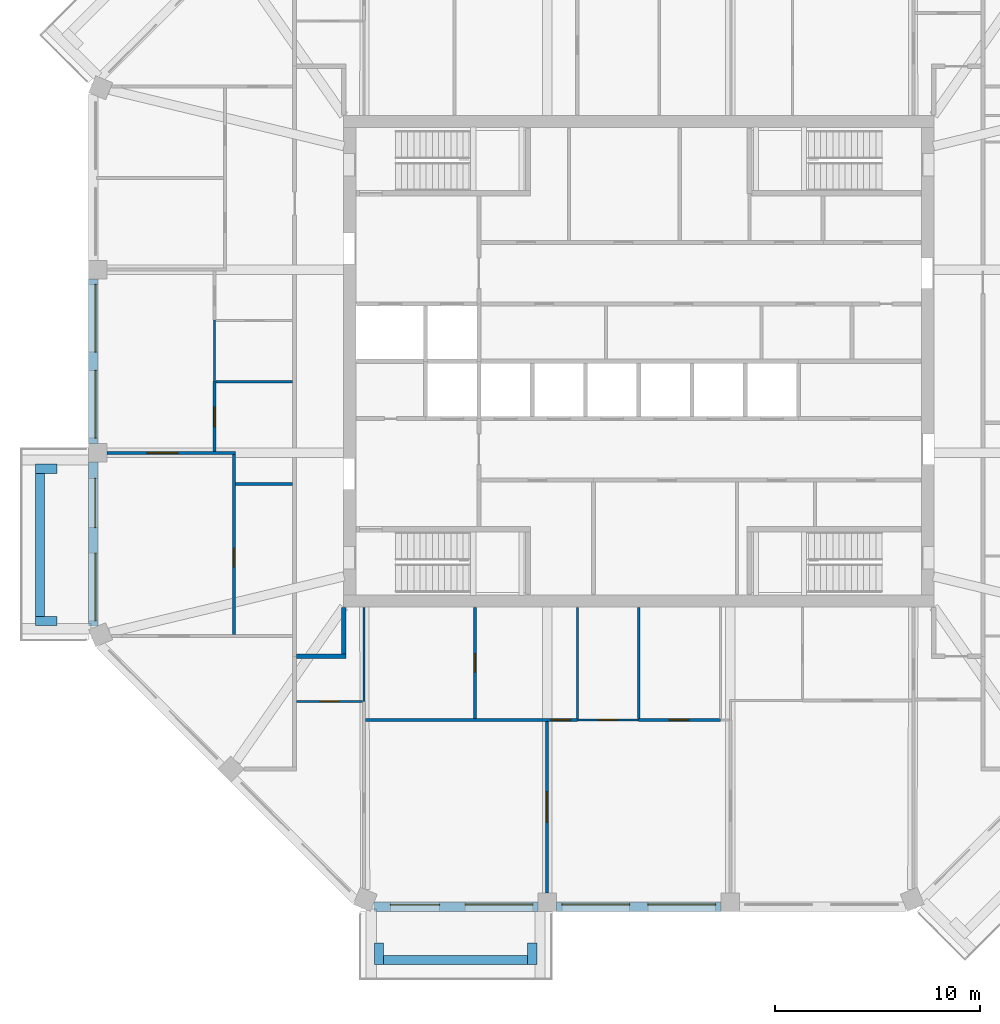
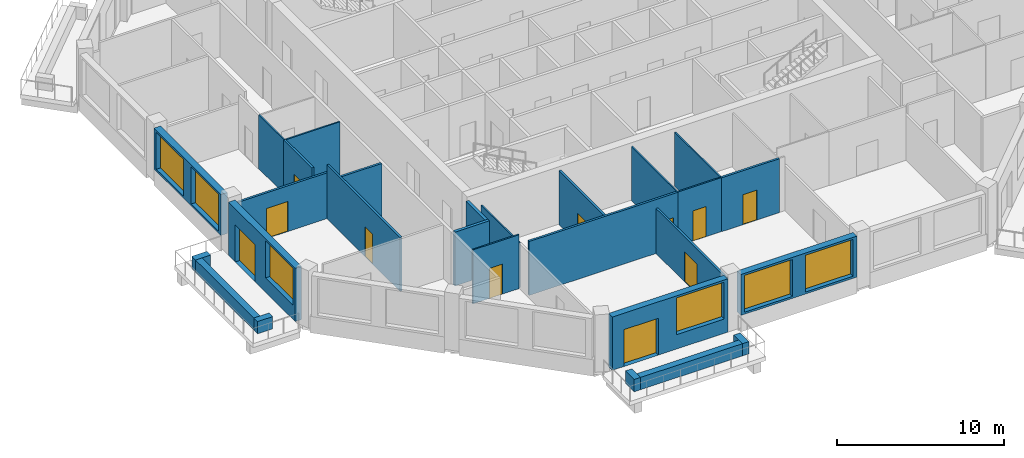
# One storey, part 3 of 11: 27 walls, 11 doors, 6 windows, 17 openings.
"""IFC4 building model written with IfcOpenShell, lengths in metres."""

from ifc_helpers import new_model, si_unit, direction, frame, frame_2d, origin, place, context, subcontext, project, spatial, rectangle, extrude, material, layer, layer_set, type_object, element, fill, save


model = new_model("IFC4")

# Units and contexts
model_context = context("Model", 3, precision=1e-05, world=origin(), true_north=direction((0.0, 1.0)))
body_context = subcontext(model_context, "Body", "Model", "MODEL_VIEW")
ifc_project = project(units=[si_unit("LENGTHUNIT", "METRE"), si_unit("AREAUNIT", "SQUARE_METRE"), si_unit("VOLUMEUNIT", "CUBIC_METRE"), si_unit("PLANEANGLEUNIT", "RADIAN"), si_unit("MASSUNIT", "GRAM", prefix="KILO")], contexts=[model_context])

# Site, building, storey
site_placement = place(None, origin())
site = spatial("IfcSite", under=ifc_project, at=site_placement, CompositionType="ELEMENT")
building_placement = place(site_placement, origin())
building = spatial("IfcBuilding", under=site, at=building_placement, Name="Msitu Wima Residences", CompositionType="ELEMENT")
storey_placement = place(building_placement, frame((0.0, 0.0, 293.699951171875)))
storey = spatial("IfcBuildingStorey", under=building, at=storey_placement, Name="L68", CompositionType="ELEMENT", Elevation=293.699951171875)

# Walls
ifc_material_1 = material(Name="Facing brick")
ifc_layer_1 = layer(ifc_material_1, 0.06494140625, Name="Facing brick")
ifc_material_2 = material(Name="Concrete C40/50", Category="concrete")
ifc_layer_2 = layer(ifc_material_2, 0.156005859375, Name="Concrete C40/50")
ifc_material_3 = material(Name="Waterproofing membrane")
ifc_layer_3 = layer(ifc_material_3, 0.00390625, Name="Waterproofing membrane")
ifc_material_4 = material(Name="Planting soil and planting")
ifc_layer_4 = layer(ifc_material_4, 0.22509765625, Name="Planting soil and planting")
ifc_layer_set_1 = layer_set([ifc_layer_1, ifc_layer_2, ifc_layer_3, ifc_layer_4], Name="Concrete C40/50")
wall_type_1 = type_object("IfcWallType", Name="Balcony planter PLANTER PL450", PredefinedType="USERDEFINED", material=ifc_layer_set_1)
wall_1_placement = place(storey_placement, frame((-29.22509765625, -5.468505859375, 0.0), z_axis=(0.0, 0.0, 1.0), x_axis=(0.0, -1.0, 0.0)))
element("IfcWall", 1, at=wall_1_placement, inside=storey, type_object=wall_type_1, Name="Balcony planter W2 L68", ObjectType="PLANTER", PredefinedType="USERDEFINED", context=body_context, shape_type="SweptSolid", body=[
    extrude(rectangle(XDim=6.9873046875, YDim=0.449951171875, at=frame_2d((3.49365234375, 0.0))), origin(), (0.0, 0.0, 1.0), 0.900146484375),
])
for number, where, z_axis, x_axis, name in (
    (2, (-28.39990234375, -5.24365234375, 0.0), (0.0, 0.0, 1.0), (-1.0, 0.0, 0.0), "Balcony planter W2 L68"),
    (3, (-28.39990234375, -12.680908203125, 0.0), (0.0, 0.0, 1.0), (-1.0, 0.0, 0.0), "Balcony planter W2 L68"),
):
    element("IfcWall", number, at=place(storey_placement, frame(where, z_axis=z_axis, x_axis=x_axis)), inside=storey, type_object=wall_type_1, Name=name, ObjectType="PLANTER", PredefinedType="USERDEFINED", context=body_context, shape_type="SweptSolid", body=[
        extrude(rectangle(XDim=1.050048828125, YDim=0.449951171875, at=frame_2d((0.52490234375, 0.0))), origin(), (0.0, 0.0, 1.0), 0.900146484375),
    ])
wall_2_placement = place(storey_placement, frame((-12.455810546875, -29.22509765625, 0.0), z_axis=(0.0, 0.0, 1.0), x_axis=(1.0, 0.0, 0.0)))
element("IfcWall", 4, at=wall_2_placement, inside=storey, type_object=wall_type_1, Name="Balcony planter S0 L68", ObjectType="PLANTER", PredefinedType="USERDEFINED", context=body_context, shape_type="SweptSolid", body=[
    extrude(rectangle(XDim=7.037109375, YDim=0.449951171875, at=frame_2d((3.5185546875, 0.0))), origin(), (0.0, 0.0, 1.0), 0.900146484375),
])
for number, where, z_axis, x_axis, name in (
    (5, (-12.680908203125, -28.39990234375, 0.0), (0.0, 0.0, 1.0), (0.0, -1.0, 0.0), "Balcony planter S0 L68"),
    (6, (-5.193603515625, -28.39990234375, 0.0), (0.0, 0.0, 1.0), (0.0, -1.0, 0.0), "Balcony planter S0 L68"),
):
    element("IfcWall", number, at=place(storey_placement, frame(where, z_axis=z_axis, x_axis=x_axis)), inside=storey, type_object=wall_type_1, Name=name, ObjectType="PLANTER", PredefinedType="USERDEFINED", context=body_context, shape_type="SweptSolid", body=[
        extrude(rectangle(XDim=1.050048828125, YDim=0.449951171875, at=frame_2d((0.52490234375, 0.0))), origin(), (0.0, 0.0, 1.0), 0.900146484375),
    ])

# Wall, openings, windows
ifc_material_5 = material(Name="Brick (red buff mix)", Category="masonry")
ifc_layer_5 = layer(ifc_material_5, 0.449951171875)
ifc_layer_set_2 = layer_set([ifc_layer_5], Name="Brick (red buff mix)")
wall_type_2 = type_object("IfcWallType", Name="Brick infill wall BW450", PredefinedType="SOLIDWALL", material=ifc_layer_set_2)
wall_3_placement = place(storey_placement, frame((-26.625, 4.0185546875, 0.900146484375), z_axis=(0.0, 0.0, 1.0), x_axis=(0.0, -1.0, 0.0)))
wall_3 = element("IfcWall", 7, at=wall_3_placement, inside=storey, type_object=wall_type_2, Name="Brick infill wall L68 W1", PredefinedType="SOLIDWALL", context=body_context, shape_type="SweptSolid", body=[
    extrude(rectangle(XDim=8.037109375, YDim=0.449951171875, at=frame_2d((4.0185546875, 0.0))), origin(), (0.0, 0.0, 1.0), 3.0),
])
opening_1_placement = place(wall_3_placement, frame((0.2685546875, 0.0, 0.14990234375)))
opening_1 = element("IfcOpeningElement", 8, at=opening_1_placement, cuts=wall_3, Name="Opening W68-70.031", PredefinedType="OPENING", context=body_context, shape_type="SweptSolid", body=[
    extrude(rectangle(XDim=3.300048828125, YDim=2.699951171875, at=frame_2d((1.64990234375, 1.35009765625))), frame((0.0, 0.23486328125, 0.0), z_axis=(0.0, -1.0, 0.0), x_axis=(1.0, 0.0, 0.0)), (0.0, 0.0, 1.0), 0.469970703125),
])
opening_2_placement = place(wall_3_placement, frame((4.46875, 0.0, 0.14990234375)))
opening_2 = element("IfcOpeningElement", 9, at=opening_2_placement, cuts=wall_3, Name="Opening W68-70.032", PredefinedType="OPENING", context=body_context, shape_type="SweptSolid", body=[
    extrude(rectangle(XDim=3.300048828125, YDim=2.699951171875, at=frame_2d((1.64990234375, 1.35009765625))), frame((0.0, 0.23486328125, 0.0), z_axis=(0.0, -1.0, 0.0), x_axis=(1.0, 0.0, 0.0)), (0.0, 0.0, 1.0), 0.469970703125),
])
ifc_material_6 = material(Name="Anodised aluminium, bronze finish, clear low-emissivity double glazing", Category="aluminium")
window_type = type_object("IfcWindowType", Name="Window W3300x2700", PartitioningType="DOUBLE_PANEL_VERTICAL", PredefinedType="WINDOW", material=ifc_material_6)
window_1_placement = place(opening_1_placement, origin())
window_1 = element("IfcWindow", 10, at=window_1_placement, inside=storey, type_object=window_type, Name="Window L68 W1.1", OverallHeight=2.699951171875, OverallWidth=3.300048828125, PartitioningType="SINGLE_PANEL", PredefinedType="WINDOW", context=body_context, shape_type="SweptSolid", body=[
    extrude(rectangle(XDim=3.300048828125, YDim=2.699951171875, at=frame_2d((1.64990234375, 1.35009765625))), frame((0.0, 0.135009765625, 0.0), z_axis=(0.0, -1.0, 0.0), x_axis=(1.0, 0.0, 0.0)), (0.0, 0.0, 1.0), 0.06005859375),
])
fill(opening_1, window_1)
window_2_placement = place(opening_2_placement, origin())
window_2 = element("IfcWindow", 11, at=window_2_placement, inside=storey, type_object=window_type, Name="Window L68 W1.2", OverallHeight=2.699951171875, OverallWidth=3.300048828125, PartitioningType="SINGLE_PANEL", PredefinedType="WINDOW", context=body_context, shape_type="SweptSolid", body=[
    extrude(rectangle(XDim=3.300048828125, YDim=2.699951171875, at=frame_2d((1.64990234375, 1.35009765625))), frame((0.0, 0.135009765625, 0.0), z_axis=(0.0, -1.0, 0.0), x_axis=(1.0, 0.0, 0.0)), (0.0, 0.0, 1.0), 0.06005859375),
])
fill(opening_2, window_2)

# Wall, openings, door, window
wall_4_placement = place(storey_placement, frame((-26.625, -4.918701171875, 0.0), z_axis=(0.0, 0.0, 1.0), x_axis=(0.0, -1.0, 0.0)))
wall_4 = element("IfcWall", 12, at=wall_4_placement, inside=storey, type_object=wall_type_2, Name="Brick infill wall L68 W2", PredefinedType="SOLIDWALL", context=body_context, shape_type="SweptSolid", body=[
    extrude(rectangle(XDim=8.0, YDim=0.449951171875, at=frame_2d((4.0, 0.0))), origin(), (0.0, 0.0, 1.0), 3.900146484375),
])
opening_3_placement = place(wall_4_placement, frame((0.800048828125, 0.0, 0.0)))
opening_3 = element("IfcOpeningElement", 13, at=opening_3_placement, cuts=wall_4, Name="Opening D68-70.007", PredefinedType="OPENING", context=body_context, shape_type="SweptSolid", body=[
    extrude(rectangle(XDim=2.39990234375, YDim=2.699951171875, at=frame_2d((1.199951171875, 1.35009765625))), frame((0.0, 0.23486328125, 0.0), z_axis=(0.0, -1.0, 0.0), x_axis=(1.0, 0.0, 0.0)), (0.0, 0.0, 1.0), 0.469970703125),
])
opening_4_placement = place(wall_4_placement, frame((4.4501953125, 0.0, 1.050048828125)))
opening_4 = element("IfcOpeningElement", 14, at=opening_4_placement, cuts=wall_4, Name="Opening W68-70.033", PredefinedType="OPENING", context=body_context, shape_type="SweptSolid", body=[
    extrude(rectangle(XDim=3.300048828125, YDim=2.699951171875, at=frame_2d((1.64990234375, 1.35009765625))), frame((0.0, 0.23486328125, 0.0), z_axis=(0.0, -1.0, 0.0), x_axis=(1.0, 0.0, 0.0)), (0.0, 0.0, 1.0), 0.469970703125),
])
door_type_1 = type_object("IfcDoorType", Name="Balcony door D2400x2700", OperationType="SLIDING_TO_LEFT", PredefinedType="DOOR", material=ifc_material_6)
door_1_placement = place(opening_3_placement, origin())
door_1 = element("IfcDoor", 15, at=door_1_placement, inside=storey, type_object=door_type_1, Name="Balcony door L68 W2", OperationType="SINGLE_SWING_LEFT", OverallHeight=2.699951171875, OverallWidth=2.39990234375, PredefinedType="DOOR", context=body_context, shape_type="SweptSolid", body=[
    extrude(rectangle(XDim=2.39990234375, YDim=2.699951171875, at=frame_2d((1.199951171875, 1.35009765625))), frame((0.0, 0.1298828125, 0.0), z_axis=(0.0, -1.0, 0.0), x_axis=(1.0, 0.0, 0.0)), (0.0, 0.0, 1.0), 0.050048828125),
])
fill(opening_3, door_1)
window_3_placement = place(opening_4_placement, origin())
window_3 = element("IfcWindow", 16, at=window_3_placement, inside=storey, type_object=window_type, Name="Window L68 W2.2", OverallHeight=2.699951171875, OverallWidth=3.300048828125, PartitioningType="SINGLE_PANEL", PredefinedType="WINDOW", context=body_context, shape_type="SweptSolid", body=[
    extrude(rectangle(XDim=3.300048828125, YDim=2.699951171875, at=frame_2d((1.64990234375, 1.35009765625))), frame((0.0, 0.135009765625, 0.0), z_axis=(0.0, -1.0, 0.0), x_axis=(1.0, 0.0, 0.0)), (0.0, 0.0, 1.0), 0.06005859375),
])
fill(opening_4, window_3)

wall_5_placement = place(storey_placement, frame((-12.918701171875, -26.625, 0.0), z_axis=(0.0, 0.0, 1.0), x_axis=(1.0, 0.0, 0.0)))
wall_5 = element("IfcWall", 17, at=wall_5_placement, inside=storey, type_object=wall_type_2, Name="Brick infill wall L68 S0", PredefinedType="SOLIDWALL", context=body_context, shape_type="SweptSolid", body=[
    extrude(rectangle(XDim=8.0, YDim=0.449951171875, at=frame_2d((4.0, 0.0))), origin(), (0.0, 0.0, 1.0), 3.900146484375),
])
opening_5_placement = place(wall_5_placement, frame((0.800048828125, 0.0, 0.0)))
opening_5 = element("IfcOpeningElement", 18, at=opening_5_placement, cuts=wall_5, Name="Opening D68-70.005", PredefinedType="OPENING", context=body_context, shape_type="SweptSolid", body=[
    extrude(rectangle(XDim=2.39990234375, YDim=2.699951171875, at=frame_2d((1.199951171875, 1.35009765625))), frame((0.0, 0.23486328125, 0.0), z_axis=(0.0, -1.0, 0.0), x_axis=(1.0, 0.0, 0.0)), (0.0, 0.0, 1.0), 0.469970703125),
])
opening_6_placement = place(wall_5_placement, frame((4.4501953125, 0.0, 1.050048828125)))
opening_6 = element("IfcOpeningElement", 19, at=opening_6_placement, cuts=wall_5, Name="Opening W68-70.017", PredefinedType="OPENING", context=body_context, shape_type="SweptSolid", body=[
    extrude(rectangle(XDim=3.300048828125, YDim=2.699951171875, at=frame_2d((1.64990234375, 1.35009765625))), frame((0.0, 0.23486328125, 0.0), z_axis=(0.0, -1.0, 0.0), x_axis=(1.0, 0.0, 0.0)), (0.0, 0.0, 1.0), 0.469970703125),
])
door_2_placement = place(opening_5_placement, origin())
door_2 = element("IfcDoor", 20, at=door_2_placement, inside=storey, type_object=door_type_1, Name="Balcony door L68 S0", OperationType="SINGLE_SWING_LEFT", OverallHeight=2.699951171875, OverallWidth=2.39990234375, PredefinedType="DOOR", context=body_context, shape_type="SweptSolid", body=[
    extrude(rectangle(XDim=2.39990234375, YDim=2.699951171875, at=frame_2d((1.199951171875, 1.35009765625))), frame((0.0, 0.1298828125, 0.0), z_axis=(0.0, -1.0, 0.0), x_axis=(1.0, 0.0, 0.0)), (0.0, 0.0, 1.0), 0.050048828125),
])
fill(opening_5, door_2)
window_4_placement = place(opening_6_placement, origin())
window_4 = element("IfcWindow", 21, at=window_4_placement, inside=storey, type_object=window_type, Name="Window L68 S0.2", OverallHeight=2.699951171875, OverallWidth=3.300048828125, PartitioningType="SINGLE_PANEL", PredefinedType="WINDOW", context=body_context, shape_type="SweptSolid", body=[
    extrude(rectangle(XDim=3.300048828125, YDim=2.699951171875, at=frame_2d((1.64990234375, 1.35009765625))), frame((0.0, 0.135009765625, 0.0), z_axis=(0.0, -1.0, 0.0), x_axis=(1.0, 0.0, 0.0)), (0.0, 0.0, 1.0), 0.06005859375),
])
fill(opening_6, window_4)

# Wall, openings, windows
wall_6_placement = place(storey_placement, frame((-4.0185546875, -26.625, 0.900146484375), z_axis=(0.0, 0.0, 1.0), x_axis=(1.0, 0.0, 0.0)))
wall_6 = element("IfcWall", 22, at=wall_6_placement, inside=storey, type_object=wall_type_2, Name="Brick infill wall L68 S1", PredefinedType="SOLIDWALL", context=body_context, shape_type="SweptSolid", body=[
    extrude(rectangle(XDim=8.037109375, YDim=0.449951171875, at=frame_2d((4.0185546875, 0.0))), origin(), (0.0, 0.0, 1.0), 3.0),
])
opening_7_placement = place(wall_6_placement, frame((0.2685546875, 0.0, 0.14990234375)))
opening_7 = element("IfcOpeningElement", 23, at=opening_7_placement, cuts=wall_6, Name="Opening W68-70.018", PredefinedType="OPENING", context=body_context, shape_type="SweptSolid", body=[
    extrude(rectangle(XDim=3.300048828125, YDim=2.699951171875, at=frame_2d((1.64990234375, 1.35009765625))), frame((0.0, 0.23486328125, 0.0), z_axis=(0.0, -1.0, 0.0), x_axis=(1.0, 0.0, 0.0)), (0.0, 0.0, 1.0), 0.469970703125),
])
opening_8_placement = place(wall_6_placement, frame((4.46875, 0.0, 0.14990234375)))
opening_8 = element("IfcOpeningElement", 24, at=opening_8_placement, cuts=wall_6, Name="Opening W68-70.019", PredefinedType="OPENING", context=body_context, shape_type="SweptSolid", body=[
    extrude(rectangle(XDim=3.300048828125, YDim=2.699951171875, at=frame_2d((1.64990234375, 1.35009765625))), frame((0.0, 0.23486328125, 0.0), z_axis=(0.0, -1.0, 0.0), x_axis=(1.0, 0.0, 0.0)), (0.0, 0.0, 1.0), 0.469970703125),
])
window_5_placement = place(opening_7_placement, origin())
window_5 = element("IfcWindow", 25, at=window_5_placement, inside=storey, type_object=window_type, Name="Window L68 S1.1", OverallHeight=2.699951171875, OverallWidth=3.300048828125, PartitioningType="SINGLE_PANEL", PredefinedType="WINDOW", context=body_context, shape_type="SweptSolid", body=[
    extrude(rectangle(XDim=3.300048828125, YDim=2.699951171875, at=frame_2d((1.64990234375, 1.35009765625))), frame((0.0, 0.135009765625, 0.0), z_axis=(0.0, -1.0, 0.0), x_axis=(1.0, 0.0, 0.0)), (0.0, 0.0, 1.0), 0.06005859375),
])
fill(opening_7, window_5)
window_6_placement = place(opening_8_placement, origin())
window_6 = element("IfcWindow", 26, at=window_6_placement, inside=storey, type_object=window_type, Name="Window L68 S1.2", OverallHeight=2.699951171875, OverallWidth=3.300048828125, PartitioningType="SINGLE_PANEL", PredefinedType="WINDOW", context=body_context, shape_type="SweptSolid", body=[
    extrude(rectangle(XDim=3.300048828125, YDim=2.699951171875, at=frame_2d((1.64990234375, 1.35009765625))), frame((0.0, 0.135009765625, 0.0), z_axis=(0.0, -1.0, 0.0), x_axis=(1.0, 0.0, 0.0)), (0.0, 0.0, 1.0), 0.06005859375),
])
fill(opening_8, window_6)

# Walls
ifc_material_7 = material(Name="Plaster")
ifc_layer_6 = layer(ifc_material_7, 0.011962890625, Name="Plaster")
ifc_material_8 = material(Name="Concrete blockwork", Category="masonry")
ifc_layer_7 = layer(ifc_material_8, 0.176025390625, Name="Concrete blockwork")
ifc_layer_8 = layer(ifc_material_7, 0.011962890625, Name="Plaster")
ifc_layer_set_3 = layer_set([ifc_layer_6, ifc_layer_7, ifc_layer_8], Name="Concrete blockwork")
wall_type_3 = type_object("IfcWallType", Name="Corridor wall FW200", PredefinedType="PARTITIONING", material=ifc_layer_set_3)
wall_7_placement = place(storey_placement, frame((-16.699951171875, -14.39990234375, 0.0), z_axis=(0.0, 0.0, 1.0), x_axis=(1.0, 0.0, 0.0)))
element("IfcWall", 27, at=wall_7_placement, inside=storey, type_object=wall_type_3, Name="Corridor wall", PredefinedType="PARTITIONING", context=body_context, shape_type="SweptSolid", body=[
    extrude(rectangle(XDim=2.39990234375, YDim=0.199951171875, at=frame_2d((1.199951171875, 0.0))), origin(), (0.0, 0.0, 1.0), 3.949951171875),
])
wall_8_placement = place(storey_placement, frame((-14.39990234375, -14.300048828125, 0.0), z_axis=(0.0, 0.0, 1.0), x_axis=(0.0, 1.0, 0.0)))
element("IfcWall", 28, at=wall_8_placement, inside=storey, type_object=wall_type_3, Name="Corridor wall", PredefinedType="PARTITIONING", context=body_context, shape_type="SweptSolid", body=[
    extrude(rectangle(XDim=2.27001953125, YDim=0.199951171875, at=frame_2d((1.135009765625, 0.0))), origin(), (0.0, 0.0, 1.0), 3.949951171875),
])

# Wall, opening, door
ifc_layer_9 = layer(ifc_material_7, 0.011962890625, Name="Plaster")
ifc_layer_10 = layer(ifc_material_8, 0.1259765625, Name="Concrete blockwork")
ifc_layer_11 = layer(ifc_material_7, 0.011962890625, Name="Plaster")
ifc_layer_set_4 = layer_set([ifc_layer_9, ifc_layer_10, ifc_layer_11], Name="Concrete blockwork")
wall_type_4 = type_object("IfcWallType", Name="Partition PW150", PredefinedType="PARTITIONING", material=ifc_layer_set_4)
wall_9_placement = place(storey_placement, frame((-25.949951171875, -4.46875, 0.0), z_axis=(0.0, 0.0, 1.0), x_axis=(1.0, 0.0, 0.0)))
wall_9 = element("IfcWall", 29, at=wall_9_placement, inside=storey, type_object=wall_type_4, Name="Partition", PredefinedType="PARTITIONING", context=body_context, shape_type="SweptSolid", body=[
    extrude(rectangle(XDim=6.27490234375, YDim=0.14990234375, at=frame_2d((3.137451171875, 0.0))), origin(), (0.0, 0.0, 1.0), 3.35009765625),
])
opening_9_placement = place(wall_9_placement, frame((1.949951171875, 0.0, 0.0)))
opening_9 = element("IfcOpeningElement", 30, at=opening_9_placement, cuts=wall_9, Name="Opening D68-70.040", PredefinedType="OPENING", context=body_context, shape_type="SweptSolid", body=[
    extrude(rectangle(XDim=1.5, YDim=2.199951171875, at=frame_2d((0.75, 1.10009765625))), frame((0.0, 0.0849609375, 0.0), z_axis=(0.0, -1.0, 0.0), x_axis=(1.0, 0.0, 0.0)), (0.0, 0.0, 1.0), 0.169921875),
])
ifc_material_9 = material(Name="Timber double door", Category="wood")
door_type_2 = type_object("IfcDoorType", Name="Double door D04 1500x2200", OperationType="DOUBLE_DOOR_SINGLE_SWING", PredefinedType="DOOR", material=ifc_material_9)
door_3_placement = place(opening_9_placement, origin())
door_3 = element("IfcDoor", 31, at=door_3_placement, inside=storey, type_object=door_type_2, Name="Double door", OperationType="DOUBLE_DOOR_SINGLE_SWING", OverallHeight=2.199951171875, OverallWidth=1.5, PredefinedType="DOOR", context=body_context, shape_type="SweptSolid", body=[
    extrude(rectangle(XDim=1.5, YDim=2.199951171875, at=frame_2d((0.75, 1.10009765625))), frame((0.0, 0.02490234375, 0.0), z_axis=(0.0, -1.0, 0.0), x_axis=(1.0, 0.0, 0.0)), (0.0, 0.0, 1.0), 0.050048828125),
])
fill(opening_9, door_3)

wall_10_placement = place(storey_placement, frame((-20.699951171875, -4.3935546875, 0.0), z_axis=(0.0, 0.0, 1.0), x_axis=(0.0, 1.0, 0.0)))
wall_10 = element("IfcWall", 32, at=wall_10_placement, inside=storey, type_object=wall_type_4, Name="Partition", PredefinedType="PARTITIONING", context=body_context, shape_type="SweptSolid", body=[
    extrude(rectangle(XDim=3.3935546875, YDim=0.14990234375, at=frame_2d((1.69677734375, 0.0))), origin(), (0.0, 0.0, 1.0), 3.949951171875),
])
opening_10_placement = place(wall_10_placement, frame((1.199951171875, 0.0, 0.0)))
opening_10 = element("IfcOpeningElement", 33, at=opening_10_placement, cuts=wall_10, Name="Opening D68-70.042", PredefinedType="OPENING", context=body_context, shape_type="SweptSolid", body=[
    extrude(rectangle(XDim=0.949951171875, YDim=2.199951171875, at=frame_2d((0.47509765625, 1.10009765625))), frame((0.0, 0.0849609375, 0.0), z_axis=(0.0, -1.0, 0.0), x_axis=(1.0, 0.0, 0.0)), (0.0, 0.0, 1.0), 0.169921875),
])
ifc_material_10 = material(Name="Timber flush door", Category="wood")
door_type_3 = type_object("IfcDoorType", Name="Room door D12 950x2200", OperationType="SINGLE_SWING_LEFT", PredefinedType="DOOR", material=ifc_material_10)
door_4_placement = place(opening_10_placement, origin())
door_4 = element("IfcDoor", 34, at=door_4_placement, inside=storey, type_object=door_type_3, Name="Room door", OperationType="SINGLE_SWING_LEFT", OverallHeight=2.199951171875, OverallWidth=0.949951171875, PredefinedType="DOOR", context=body_context, shape_type="SweptSolid", body=[
    extrude(rectangle(XDim=0.949951171875, YDim=2.199951171875, at=frame_2d((0.47509765625, 1.10009765625))), frame((0.0, 0.02490234375, 0.0), z_axis=(0.0, -1.0, 0.0), x_axis=(1.0, 0.0, 0.0)), (0.0, 0.0, 1.0), 0.050048828125),
])
fill(opening_10, door_4)

wall_11_placement = place(storey_placement, frame((-19.75, -13.330810546875, 0.0), z_axis=(0.0, 0.0, 1.0), x_axis=(0.0, 1.0, 0.0)))
wall_11 = element("IfcWall", 35, at=wall_11_placement, inside=storey, type_object=wall_type_4, Name="Partition", PredefinedType="PARTITIONING", context=body_context, shape_type="SweptSolid", body=[
    extrude(rectangle(XDim=8.787109375, YDim=0.14990234375, at=frame_2d((4.3935546875, 0.0))), origin(), (0.0, 0.0, 1.0), 3.949951171875),
])
opening_11_placement = place(wall_11_placement, frame((3.300048828125, 0.0, 0.0)))
opening_11 = element("IfcOpeningElement", 36, at=opening_11_placement, cuts=wall_11, Name="Opening D68-70.043", PredefinedType="OPENING", context=body_context, shape_type="SweptSolid", body=[
    extrude(rectangle(XDim=0.89990234375, YDim=2.199951171875, at=frame_2d((0.449951171875, 1.10009765625))), frame((0.0, 0.0849609375, 0.0), z_axis=(0.0, -1.0, 0.0), x_axis=(1.0, 0.0, 0.0)), (0.0, 0.0, 1.0), 0.169921875),
])
door_type_4 = type_object("IfcDoorType", Name="Service door D05 900x2200", OperationType="SINGLE_SWING_LEFT", PredefinedType="DOOR", material=ifc_material_10)
door_5_placement = place(opening_11_placement, origin())
door_5 = element("IfcDoor", 37, at=door_5_placement, inside=storey, type_object=door_type_4, Name="Service door", OperationType="SINGLE_SWING_RIGHT", OverallHeight=2.199951171875, OverallWidth=0.89990234375, PredefinedType="DOOR", context=body_context, shape_type="SweptSolid", body=[
    extrude(rectangle(XDim=0.89990234375, YDim=2.199951171875, at=frame_2d((0.449951171875, 1.10009765625))), frame((0.0, 0.02490234375, 0.0), z_axis=(0.0, -1.0, 0.0), x_axis=(1.0, 0.0, 0.0)), (0.0, 0.0, 1.0), 0.050048828125),
])
fill(opening_11, door_5)

# Wall
wall_12_placement = place(storey_placement, frame((-19.675048828125, -6.0, 0.0), z_axis=(0.0, 0.0, 1.0), x_axis=(1.0, 0.0, 0.0)))
element("IfcWall", 38, at=wall_12_placement, inside=storey, type_object=wall_type_4, Name="Partition", PredefinedType="PARTITIONING", context=body_context, shape_type="SweptSolid", body=[
    extrude(rectangle(XDim=2.775146484375, YDim=0.14990234375, at=frame_2d((1.3876953125, 0.0))), origin(), (0.0, 0.0, 1.0), 3.949951171875),
])

# Wall, opening, door
wall_13_placement = place(storey_placement, frame((-13.330810546875, -17.5, 0.0), z_axis=(0.0, 0.0, 1.0), x_axis=(1.0, 0.0, 0.0)))
wall_13 = element("IfcWall", 39, at=wall_13_placement, inside=storey, type_object=wall_type_4, Name="Partition", PredefinedType="PARTITIONING", context=body_context, shape_type="SweptSolid", body=[
    extrude(rectangle(XDim=10.330810546875, YDim=0.14990234375, at=frame_2d((5.16552734375, 0.0))), origin(), (0.0, 0.0, 1.0), 3.949951171875),
])
opening_12_placement = place(wall_13_placement, frame((9.050048828125, 0.0, 0.0)))
opening_12 = element("IfcOpeningElement", 40, at=opening_12_placement, cuts=wall_13, Name="Opening D68-70.053", PredefinedType="OPENING", context=body_context, shape_type="SweptSolid", body=[
    extrude(rectangle(XDim=0.949951171875, YDim=2.199951171875, at=frame_2d((0.47509765625, 1.10009765625))), frame((0.0, 0.0849609375, 0.0), z_axis=(0.0, -1.0, 0.0), x_axis=(1.0, 0.0, 0.0)), (0.0, 0.0, 1.0), 0.169921875),
])
door_6_placement = place(opening_12_placement, origin())
door_6 = element("IfcDoor", 41, at=door_6_placement, inside=storey, type_object=door_type_3, Name="Room door", OperationType="SINGLE_SWING_RIGHT", OverallHeight=2.199951171875, OverallWidth=0.949951171875, PredefinedType="DOOR", context=body_context, shape_type="SweptSolid", body=[
    extrude(rectangle(XDim=0.949951171875, YDim=2.199951171875, at=frame_2d((0.47509765625, 1.10009765625))), frame((0.0, 0.02490234375, 0.0), z_axis=(0.0, -1.0, 0.0), x_axis=(1.0, 0.0, 0.0)), (0.0, 0.0, 1.0), 0.050048828125),
])
fill(opening_12, door_6)

wall_14_placement = place(storey_placement, frame((-8.0, -17.425048828125, 0.0), z_axis=(0.0, 0.0, 1.0), x_axis=(0.0, 1.0, 0.0)))
wall_14 = element("IfcWall", 42, at=wall_14_placement, inside=storey, type_object=wall_type_4, Name="Partition", PredefinedType="PARTITIONING", context=body_context, shape_type="SweptSolid", body=[
    extrude(rectangle(XDim=5.39501953125, YDim=0.14990234375, at=frame_2d((2.697509765625, 0.0))), origin(), (0.0, 0.0, 1.0), 3.949951171875),
])
opening_13_placement = place(wall_14_placement, frame((2.25, 0.0, 0.0)))
opening_13 = element("IfcOpeningElement", 43, at=opening_13_placement, cuts=wall_14, Name="Opening D68-70.047", PredefinedType="OPENING", context=body_context, shape_type="SweptSolid", body=[
    extrude(rectangle(XDim=0.89990234375, YDim=2.199951171875, at=frame_2d((0.449951171875, 1.10009765625))), frame((0.0, 0.0849609375, 0.0), z_axis=(0.0, -1.0, 0.0), x_axis=(1.0, 0.0, 0.0)), (0.0, 0.0, 1.0), 0.169921875),
])
door_7_placement = place(opening_13_placement, origin())
door_7 = element("IfcDoor", 44, at=door_7_placement, inside=storey, type_object=door_type_4, Name="Service door", OperationType="SINGLE_SWING_LEFT", OverallHeight=2.199951171875, OverallWidth=0.89990234375, PredefinedType="DOOR", context=body_context, shape_type="SweptSolid", body=[
    extrude(rectangle(XDim=0.89990234375, YDim=2.199951171875, at=frame_2d((0.449951171875, 1.10009765625))), frame((0.0, 0.02490234375, 0.0), z_axis=(0.0, -1.0, 0.0), x_axis=(1.0, 0.0, 0.0)), (0.0, 0.0, 1.0), 0.050048828125),
])
fill(opening_13, door_7)

wall_15_placement = place(storey_placement, frame((-4.46875, -25.949951171875, 0.0), z_axis=(0.0, 0.0, 1.0), x_axis=(0.0, 1.0, 0.0)))
wall_15 = element("IfcWall", 45, at=wall_15_placement, inside=storey, type_object=wall_type_4, Name="Partition", PredefinedType="PARTITIONING", context=body_context, shape_type="SweptSolid", body=[
    extrude(rectangle(XDim=8.375, YDim=0.14990234375, at=frame_2d((4.1875, 0.0))), origin(), (0.0, 0.0, 1.0), 3.300048828125),
])
opening_14_placement = place(wall_15_placement, frame((3.449951171875, 0.0, 0.0)))
opening_14 = element("IfcOpeningElement", 46, at=opening_14_placement, cuts=wall_15, Name="Opening D68-70.056", PredefinedType="OPENING", context=body_context, shape_type="SweptSolid", body=[
    extrude(rectangle(XDim=1.5, YDim=2.199951171875, at=frame_2d((0.75, 1.10009765625))), frame((0.0, 0.0849609375, 0.0), z_axis=(0.0, -1.0, 0.0), x_axis=(1.0, 0.0, 0.0)), (0.0, 0.0, 1.0), 0.169921875),
])
door_8_placement = place(opening_14_placement, origin())
door_8 = element("IfcDoor", 47, at=door_8_placement, inside=storey, type_object=door_type_2, Name="Double door", OperationType="DOUBLE_DOOR_SINGLE_SWING", OverallHeight=2.199951171875, OverallWidth=1.5, PredefinedType="DOOR", context=body_context, shape_type="SweptSolid", body=[
    extrude(rectangle(XDim=1.5, YDim=2.199951171875, at=frame_2d((0.75, 1.10009765625))), frame((0.0, 0.02490234375, 0.0), z_axis=(0.0, -1.0, 0.0), x_axis=(1.0, 0.0, 0.0)), (0.0, 0.0, 1.0), 0.050048828125),
])
fill(opening_14, door_8)

wall_16_placement = place(storey_placement, frame((0.0, -17.5, 0.0), z_axis=(0.0, 0.0, 1.0), x_axis=(1.0, 0.0, 0.0)))
wall_16 = element("IfcWall", 48, at=wall_16_placement, inside=storey, type_object=wall_type_4, Name="Partition", PredefinedType="PARTITIONING", context=body_context, shape_type="SweptSolid", body=[
    extrude(rectangle(XDim=4.0, YDim=0.14990234375, at=frame_2d((2.0, 0.0))), origin(), (0.0, 0.0, 1.0), 3.949951171875),
])
opening_15_placement = place(wall_16_placement, frame((1.5, 0.0, 0.0)))
opening_15 = element("IfcOpeningElement", 49, at=opening_15_placement, cuts=wall_16, Name="Opening D68-70.055", PredefinedType="OPENING", context=body_context, shape_type="SweptSolid", body=[
    extrude(rectangle(XDim=0.949951171875, YDim=2.199951171875, at=frame_2d((0.47509765625, 1.10009765625))), frame((0.0, 0.0849609375, 0.0), z_axis=(0.0, -1.0, 0.0), x_axis=(1.0, 0.0, 0.0)), (0.0, 0.0, 1.0), 0.169921875),
])
door_9_placement = place(opening_15_placement, origin())
door_9 = element("IfcDoor", 50, at=door_9_placement, inside=storey, type_object=door_type_3, Name="Room door", OperationType="SINGLE_SWING_LEFT", OverallHeight=2.199951171875, OverallWidth=0.949951171875, PredefinedType="DOOR", context=body_context, shape_type="SweptSolid", body=[
    extrude(rectangle(XDim=0.949951171875, YDim=2.199951171875, at=frame_2d((0.47509765625, 1.10009765625))), frame((0.0, 0.02490234375, 0.0), z_axis=(0.0, -1.0, 0.0), x_axis=(1.0, 0.0, 0.0)), (0.0, 0.0, 1.0), 0.050048828125),
])
fill(opening_15, door_9)

# Walls
ifc_material_11 = material(Name="Ceramic tiles")
ifc_layer_12 = layer(ifc_material_11, 0.008056640625, Name="Ceramic tiles")
ifc_material_12 = material(Name="Moisture-resistant board")
ifc_layer_13 = layer(ifc_material_12, 0.012451171875, Name="Moisture-resistant board")
ifc_material_13 = material(Name="Light-gauge stud framing with mineral wool")
ifc_layer_14 = layer(ifc_material_13, 0.06689453125, Name="Light-gauge stud framing with mineral wool")
ifc_layer_15 = layer(ifc_material_12, 0.012451171875, Name="Moisture-resistant board")
ifc_layer_set_5 = layer_set([ifc_layer_12, ifc_layer_13, ifc_layer_14, ifc_layer_15], Name="Light-gauge stud framing with mineral wool")
wall_type_5 = type_object("IfcWallType", Name="Wet wall PW100", PredefinedType="PARTITIONING", material=ifc_layer_set_5)
wall_17_placement = place(storey_placement, frame((-20.699951171875, -1.0, 0.0), z_axis=(0.0, 0.0, 1.0), x_axis=(0.0, 1.0, 0.0)))
element("IfcWall", 51, at=wall_17_placement, inside=storey, type_object=wall_type_5, Name="Wet wall", PredefinedType="PARTITIONING", context=body_context, shape_type="SweptSolid", body=[
    extrude(rectangle(XDim=3.02001953125, YDim=0.10009765625, at=frame_2d((1.510009765625, 0.0))), origin(), (0.0, 0.0, 1.0), 3.949951171875),
])
wall_18_placement = place(storey_placement, frame((-20.625, -1.0, 0.0), z_axis=(0.0, 0.0, 1.0), x_axis=(1.0, 0.0, 0.0)))
element("IfcWall", 52, at=wall_18_placement, inside=storey, type_object=wall_type_5, Name="Wet wall", PredefinedType="PARTITIONING", context=body_context, shape_type="SweptSolid", body=[
    extrude(rectangle(XDim=3.72509765625, YDim=0.10009765625, at=frame_2d((1.862548828125, 0.0))), origin(), (0.0, 0.0, 1.0), 3.949951171875),
])

# Wall, opening, door
wall_19_placement = place(storey_placement, frame((-16.699951171875, -16.60009765625, 0.0), z_axis=(0.0, 0.0, 1.0), x_axis=(1.0, 0.0, 0.0)))
wall_19 = element("IfcWall", 53, at=wall_19_placement, inside=storey, type_object=wall_type_5, Name="Wet wall", PredefinedType="PARTITIONING", context=body_context, shape_type="SweptSolid", body=[
    extrude(rectangle(XDim=3.218994140625, YDim=0.10009765625, at=frame_2d((1.609375, 0.0))), origin(), (0.0, 0.0, 1.0), 3.949951171875),
])
opening_16_placement = place(wall_19_placement, frame((1.14990234375, 0.0, 0.0)))
opening_16 = element("IfcOpeningElement", 54, at=opening_16_placement, cuts=wall_19, Name="Opening D68-70.048", PredefinedType="OPENING", context=body_context, shape_type="SweptSolid", body=[
    extrude(rectangle(XDim=0.89990234375, YDim=2.199951171875, at=frame_2d((0.449951171875, 1.10009765625))), frame((0.0, 0.06005859375, 0.0), z_axis=(0.0, -1.0, 0.0), x_axis=(1.0, 0.0, 0.0)), (0.0, 0.0, 1.0), 0.1201171875),
])
ifc_material_14 = material(Name="Timber flush door, moisture resistant", Category="wood")
door_type_5 = type_object("IfcDoorType", Name="Bathroom door D03 900x2200", OperationType="SINGLE_SWING_LEFT", PredefinedType="DOOR", material=ifc_material_14)
door_10_placement = place(opening_16_placement, origin())
door_10 = element("IfcDoor", 55, at=door_10_placement, inside=storey, type_object=door_type_5, Name="Bathroom door", OperationType="SINGLE_SWING_LEFT", OverallHeight=2.199951171875, OverallWidth=0.89990234375, PredefinedType="DOOR", context=body_context, shape_type="SweptSolid", body=[
    extrude(rectangle(XDim=0.89990234375, YDim=2.199951171875, at=frame_2d((0.449951171875, 1.10009765625))), frame((0.0, 0.02490234375, 0.0), z_axis=(0.0, -1.0, 0.0), x_axis=(1.0, 0.0, 0.0)), (0.0, 0.0, 1.0), 0.050048828125),
])
fill(opening_16, door_10)

# Wall
wall_20_placement = place(storey_placement, frame((-13.406005859375, -16.60009765625, 0.0), z_axis=(0.0, 0.0, 1.0), x_axis=(0.0, 1.0, 0.0)))
element("IfcWall", 56, at=wall_20_placement, inside=storey, type_object=wall_type_5, Name="Wet wall", PredefinedType="PARTITIONING", context=body_context, shape_type="SweptSolid", body=[
    extrude(rectangle(XDim=4.570068359375, YDim=0.10009765625, at=frame_2d((2.28515625, 0.0))), origin(), (0.0, 0.0, 1.0), 3.300048828125),
])

# Wall, opening, door
wall_21_placement = place(storey_placement, frame((-3.0, -17.5, 0.0), z_axis=(0.0, 0.0, 1.0), x_axis=(1.0, 0.0, 0.0)))
wall_21 = element("IfcWall", 57, at=wall_21_placement, inside=storey, type_object=wall_type_5, Name="Wet wall", PredefinedType="PARTITIONING", context=body_context, shape_type="SweptSolid", body=[
    extrude(rectangle(XDim=3.0, YDim=0.10009765625, at=frame_2d((1.5, 0.0))), origin(), (0.0, 0.0, 1.0), 3.949951171875),
])
opening_17_placement = place(wall_21_placement, frame((1.050048828125, 0.0, 0.0)))
opening_17 = element("IfcOpeningElement", 58, at=opening_17_placement, cuts=wall_21, Name="Opening D68-70.054", PredefinedType="OPENING", context=body_context, shape_type="SweptSolid", body=[
    extrude(rectangle(XDim=0.89990234375, YDim=2.199951171875, at=frame_2d((0.449951171875, 1.10009765625))), frame((0.0, 0.06005859375, 0.0), z_axis=(0.0, -1.0, 0.0), x_axis=(1.0, 0.0, 0.0)), (0.0, 0.0, 1.0), 0.1201171875),
])
door_11_placement = place(opening_17_placement, origin())
door_11 = element("IfcDoor", 59, at=door_11_placement, inside=storey, type_object=door_type_5, Name="Bathroom door", OperationType="SINGLE_SWING_RIGHT", OverallHeight=2.199951171875, OverallWidth=0.89990234375, PredefinedType="DOOR", context=body_context, shape_type="SweptSolid", body=[
    extrude(rectangle(XDim=0.89990234375, YDim=2.199951171875, at=frame_2d((0.449951171875, 1.10009765625))), frame((0.0, 0.02490234375, 0.0), z_axis=(0.0, -1.0, 0.0), x_axis=(1.0, 0.0, 0.0)), (0.0, 0.0, 1.0), 0.050048828125),
])
fill(opening_17, door_11)

# Walls
wall_22_placement = place(storey_placement, frame((-3.0, -17.449951171875, 0.0), z_axis=(0.0, 0.0, 1.0), x_axis=(0.0, 1.0, 0.0)))
element("IfcWall", 60, at=wall_22_placement, inside=storey, type_object=wall_type_5, Name="Wet wall", PredefinedType="PARTITIONING", context=body_context, shape_type="SweptSolid", body=[
    extrude(rectangle(XDim=5.419921875, YDim=0.10009765625, at=frame_2d((2.7099609375, 0.0))), origin(), (0.0, 0.0, 1.0), 3.949951171875),
])
wall_23_placement = place(storey_placement, frame((0.0, -17.425048828125, 0.0), z_axis=(0.0, 0.0, 1.0), x_axis=(0.0, 1.0, 0.0)))
element("IfcWall", 61, at=wall_23_placement, inside=storey, type_object=wall_type_5, Name="Wet wall", PredefinedType="PARTITIONING", context=body_context, shape_type="SweptSolid", body=[
    extrude(rectangle(XDim=5.39501953125, YDim=0.10009765625, at=frame_2d((2.697509765625, 0.0))), origin(), (0.0, 0.0, 1.0), 3.949951171875),
])

save(model, "model.ifc")
